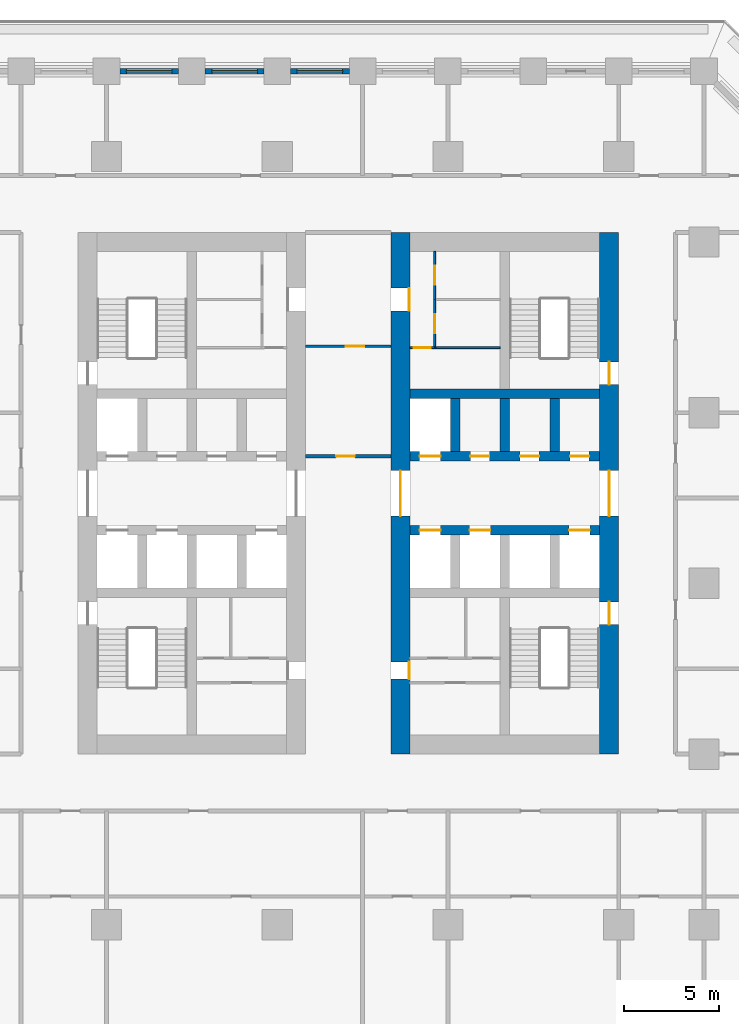
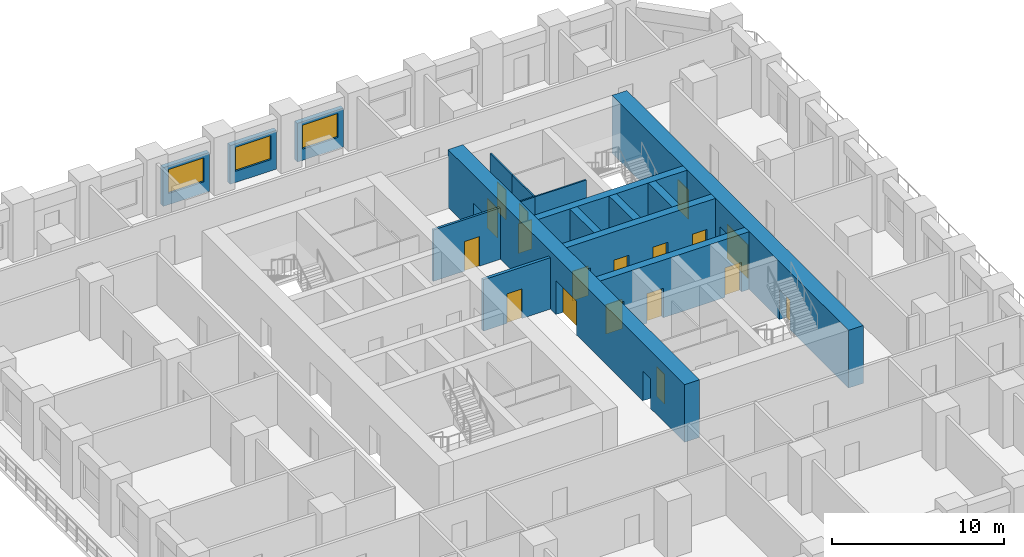
# One storey, part 7 of 12: 18 doors, 17 walls, 3 windows, 21 openings.
"""IFC4 building model written with IfcOpenShell, lengths in metres."""

from ifc_helpers import new_model, si_unit, direction, frame, frame_2d, origin, place, context, subcontext, project, spatial, rectangle, extrude, material, layer, layer_set, type_object, element, fill, save


model = new_model("IFC4")

# Units and contexts
model_context = context("Model", 3, precision=1e-05, world=origin(), true_north=direction((0.0, 1.0)))
body_context = subcontext(model_context, "Body", "Model", "MODEL_VIEW")
ifc_project = project(units=[si_unit("LENGTHUNIT", "METRE"), si_unit("AREAUNIT", "SQUARE_METRE"), si_unit("VOLUMEUNIT", "CUBIC_METRE"), si_unit("PLANEANGLEUNIT", "RADIAN"), si_unit("MASSUNIT", "GRAM", prefix="KILO")], contexts=[model_context])

# Site, building, storey
site_placement = place(None, origin())
site = spatial("IfcSite", under=ifc_project, at=site_placement, CompositionType="ELEMENT")
building_placement = place(site_placement, origin())
building = spatial("IfcBuilding", under=site, at=building_placement, Name="Corbel Stack Research Tower", CompositionType="ELEMENT")
storey_placement = place(building_placement, frame((0.0, 0.0, 27.699951171875)))
storey = spatial("IfcBuildingStorey", under=building, at=storey_placement, Name="L06", CompositionType="ELEMENT", Elevation=27.699951171875)

# Wall, openings, doors
ifc_material_1 = material(Name="Concrete C70/85", Category="concrete")
ifc_layer_1 = layer(ifc_material_1, 1.0)
ifc_layer_set_1 = layer_set([ifc_layer_1], Name="Concrete C70/85")
wall_type_1 = type_object("IfcWallType", Name="CW-1000-70", PredefinedType="SHEAR", material=ifc_layer_set_1)
wall_1_placement = place(storey_placement, frame((6.5, -9.0, 0.0), z_axis=(0.0, 0.0, 1.0), x_axis=(0.0, 1.0, 0.0)))
wall_1 = element("IfcWall", 1, at=wall_1_placement, inside=storey, type_object=wall_type_1, Name="East core wall, west face L06", PredefinedType="SHEAR", context=body_context, shape_type="SweptSolid", body=[
    extrude(rectangle(XDim=27.5, YDim=1.0, at=frame_2d((13.75, 0.0))), origin(), (0.0, 0.0, 1.0), 4.10009765625),
])
opening_1_placement = place(wall_1_placement, frame((12.550048828125, 0.0, 0.0)))
opening_1 = element("IfcOpeningElement", 2, at=opening_1_placement, cuts=wall_1, Name="Opening CD-E-W", PredefinedType="OPENING", context=body_context, shape_type="SweptSolid", body=[
    extrude(rectangle(XDim=2.39990234375, YDim=2.39990234375, at=frame_2d((1.199951171875, 1.199951171875))), frame((0.0, 0.510009765625, 0.0), z_axis=(0.0, -1.0, 0.0), x_axis=(1.0, 0.0, 0.0)), (0.0, 0.0, 1.0), 1.02001953125),
])
opening_2_placement = place(wall_1_placement, frame((3.955078125, 0.0, 0.0)))
opening_2 = element("IfcOpeningElement", 3, at=opening_2_placement, cuts=wall_1, Name="Opening CR-E24-W1-905", PredefinedType="OPENING", context=body_context, shape_type="SweptSolid", body=[
    extrude(rectangle(XDim=0.905029296875, YDim=2.10009765625, at=frame_2d((0.45263671875, 1.050048828125))), frame((0.0, 0.510009765625, 0.0), z_axis=(0.0, -1.0, 0.0), x_axis=(1.0, 0.0, 0.0)), (0.0, 0.0, 1.0), 1.02001953125),
])
opening_3_placement = place(wall_1_placement, frame((23.362548828125, 0.0, 0.0)))
opening_3 = element("IfcOpeningElement", 4, at=opening_3_placement, cuts=wall_1, Name="Opening CR-E24-R2-1200", PredefinedType="OPENING", context=body_context, shape_type="SweptSolid", body=[
    extrude(rectangle(XDim=1.199951171875, YDim=2.10009765625, at=frame_2d((0.60009765625, 1.050048828125))), frame((0.0, 0.510009765625, 0.0), z_axis=(0.0, -1.0, 0.0), x_axis=(1.0, 0.0, 0.0)), (0.0, 0.0, 1.0), 1.02001953125),
])
ifc_material_2 = material(Name="Painted steel fire door", Category="steel")
door_type_1 = type_object("IfcDoorType", Name="Lobby door pair 2400 x 2400 FD30S", OperationType="DOUBLE_DOOR_DOUBLE_SWING", PredefinedType="DOOR", material=ifc_material_2)
door_1_placement = place(opening_1_placement, origin())
door_1 = element("IfcDoor", 5, at=door_1_placement, inside=storey, type_object=door_type_1, Name="Lift lobby door E core W", OperationType="DOUBLE_DOOR_DOUBLE_SWING", OverallHeight=2.39990234375, OverallWidth=2.39990234375, PredefinedType="DOOR", context=body_context, shape_type="SweptSolid", body=[
    extrude(rectangle(XDim=2.39990234375, YDim=2.39990234375, at=frame_2d((1.199951171875, 1.199951171875))), frame((0.0, 0.02490234375, 0.0), z_axis=(0.0, -1.0, 0.0), x_axis=(1.0, 0.0, 0.0)), (0.0, 0.0, 1.0), 0.050048828125),
])
fill(opening_1, door_1)
ifc_material_3 = material(Name="Painted steel door", Category="steel")
door_type_2 = type_object("IfcDoorType", Name="Service door 1200 x 2100 FD30 left hand", OperationType="SINGLE_SWING_LEFT", PredefinedType="DOOR", material=ifc_material_3)
door_2_placement = place(opening_3_placement, origin())
door_2 = element("IfcDoor", 6, at=door_2_placement, inside=storey, type_object=door_type_2, Name="Service passage door E core", OperationType="SINGLE_SWING_LEFT", OverallHeight=2.10009765625, OverallWidth=1.199951171875, PredefinedType="DOOR", context=body_context, shape_type="SweptSolid", body=[
    extrude(rectangle(XDim=1.199951171875, YDim=2.10009765625, at=frame_2d((0.60009765625, 1.050048828125))), frame((0.0, -0.4248046875, 0.0), z_axis=(0.0, -1.0, 0.0), x_axis=(1.0, 0.0, 0.0)), (0.0, 0.0, 1.0), 0.050048828125),
])
fill(opening_3, door_2)
ifc_material_4 = material(Name="Painted timber door", Category="wood")
door_type_3 = type_object("IfcDoorType", Name="WC door 905 x 2100 right hand", OperationType="SINGLE_SWING_RIGHT", PredefinedType="DOOR", material=ifc_material_4)
door_3_placement = place(opening_2_placement, origin())
door_3 = element("IfcDoor", 7, at=door_3_placement, inside=storey, type_object=door_type_3, Name="WC lobby door E core", OperationType="SINGLE_SWING_RIGHT", OverallHeight=2.10009765625, OverallWidth=0.905029296875, PredefinedType="DOOR", context=body_context, shape_type="SweptSolid", body=[
    extrude(rectangle(XDim=0.905029296875, YDim=2.10009765625, at=frame_2d((0.45263671875, 1.050048828125))), frame((0.0, -0.4248046875, 0.0), z_axis=(0.0, -1.0, 0.0), x_axis=(1.0, 0.0, 0.0)), (0.0, 0.0, 1.0), 0.050048828125),
])
fill(opening_2, door_3)

wall_2_placement = place(storey_placement, frame((17.5, -9.0, 0.0), z_axis=(0.0, 0.0, 1.0), x_axis=(0.0, 1.0, 0.0)))
wall_2 = element("IfcWall", 8, at=wall_2_placement, inside=storey, type_object=wall_type_1, Name="East core wall, east face L06", PredefinedType="SHEAR", context=body_context, shape_type="SweptSolid", body=[
    extrude(rectangle(XDim=27.5, YDim=1.0, at=frame_2d((13.75, 0.0))), origin(), (0.0, 0.0, 1.0), 4.10009765625),
])
opening_4_placement = place(wall_2_placement, frame((12.550048828125, 0.0, 0.0)))
opening_4 = element("IfcOpeningElement", 9, at=opening_4_placement, cuts=wall_2, Name="Opening CD-E-E", PredefinedType="OPENING", context=body_context, shape_type="SweptSolid", body=[
    extrude(rectangle(XDim=2.39990234375, YDim=2.39990234375, at=frame_2d((1.199951171875, 1.199951171875))), frame((0.0, 0.510009765625, 0.0), z_axis=(0.0, -1.0, 0.0), x_axis=(1.0, 0.0, 0.0)), (0.0, 0.0, 1.0), 1.02001953125),
])
opening_5_placement = place(wall_2_placement, frame((6.824951171875, 0.0, 0.0)))
opening_5 = element("IfcOpeningElement", 10, at=opening_5_placement, cuts=wall_2, Name="Opening SD-ST-E1", PredefinedType="OPENING", context=body_context, shape_type="SweptSolid", body=[
    extrude(rectangle(XDim=1.199951171875, YDim=2.10009765625, at=frame_2d((0.60009765625, 1.050048828125))), frame((0.0, 0.510009765625, 0.0), z_axis=(0.0, -1.0, 0.0), x_axis=(1.0, 0.0, 0.0)), (0.0, 0.0, 1.0), 1.02001953125),
])
opening_6_placement = place(wall_2_placement, frame((19.47509765625, 0.0, 0.0)))
opening_6 = element("IfcOpeningElement", 11, at=opening_6_placement, cuts=wall_2, Name="Opening SD-ST-E2", PredefinedType="OPENING", context=body_context, shape_type="SweptSolid", body=[
    extrude(rectangle(XDim=1.199951171875, YDim=2.10009765625, at=frame_2d((0.60009765625, 1.050048828125))), frame((0.0, 0.510009765625, 0.0), z_axis=(0.0, -1.0, 0.0), x_axis=(1.0, 0.0, 0.0)), (0.0, 0.0, 1.0), 1.02001953125),
])
door_4_placement = place(opening_4_placement, origin())
door_4 = element("IfcDoor", 12, at=door_4_placement, inside=storey, type_object=door_type_1, Name="Lift lobby door E core E", OperationType="DOUBLE_DOOR_DOUBLE_SWING", OverallHeight=2.39990234375, OverallWidth=2.39990234375, PredefinedType="DOOR", context=body_context, shape_type="SweptSolid", body=[
    extrude(rectangle(XDim=2.39990234375, YDim=2.39990234375, at=frame_2d((1.199951171875, 1.199951171875))), frame((0.0, 0.02490234375, 0.0), z_axis=(0.0, -1.0, 0.0), x_axis=(1.0, 0.0, 0.0)), (0.0, 0.0, 1.0), 0.050048828125),
])
fill(opening_4, door_4)
ifc_material_5 = material(Name="Painted steel fire door", Category="steel")
door_type_4 = type_object("IfcDoorType", Name="Stair door 1200 x 2100 FD90 right hand", OperationType="SINGLE_SWING_RIGHT", PredefinedType="DOOR", material=ifc_material_5)
door_5_placement = place(opening_5_placement, frame((1.199951171875, 0.0, 0.0), z_axis=(0.0, 0.0, 1.0), x_axis=(-1.0, 0.0, 0.0)))
door_5 = element("IfcDoor", 13, at=door_5_placement, inside=storey, type_object=door_type_4, Name="Stair door ST-E1", OperationType="SINGLE_SWING_LEFT", OverallHeight=2.10009765625, OverallWidth=1.199951171875, PredefinedType="DOOR", context=body_context, shape_type="SweptSolid", body=[
    extrude(rectangle(XDim=1.199951171875, YDim=2.10009765625, at=frame_2d((0.60009765625, 1.050048828125))), frame((0.0, 0.02490234375, 0.0), z_axis=(0.0, -1.0, 0.0), x_axis=(1.0, 0.0, 0.0)), (0.0, 0.0, 1.0), 0.050048828125),
])
fill(opening_5, door_5)
door_6_placement = place(opening_6_placement, frame((1.199951171875, 0.0, 0.0), z_axis=(0.0, 0.0, 1.0), x_axis=(-1.0, 0.0, 0.0)))
door_6 = element("IfcDoor", 14, at=door_6_placement, inside=storey, type_object=door_type_4, Name="Stair door ST-E2", OperationType="SINGLE_SWING_LEFT", OverallHeight=2.10009765625, OverallWidth=1.199951171875, PredefinedType="DOOR", context=body_context, shape_type="SweptSolid", body=[
    extrude(rectangle(XDim=1.199951171875, YDim=2.10009765625, at=frame_2d((0.60009765625, 1.050048828125))), frame((0.0, 0.02490234375, 0.0), z_axis=(0.0, -1.0, 0.0), x_axis=(1.0, 0.0, 0.0)), (0.0, 0.0, 1.0), 0.050048828125),
])
fill(opening_6, door_6)

ifc_material_6 = material(Name="Concrete C70/85", Category="concrete")
ifc_layer_2 = layer(ifc_material_6, 0.5)
ifc_layer_set_2 = layer_set([ifc_layer_2], Name="Concrete C70/85")
wall_type_2 = type_object("IfcWallType", Name="CW-500-70", PredefinedType="SHEAR", material=ifc_layer_set_2)
wall_3_placement = place(storey_placement, frame((7.0, 2.800048828125, 0.0), z_axis=(0.0, 0.0, 1.0), x_axis=(1.0, 0.0, 0.0)))
wall_3 = element("IfcWall", 15, at=wall_3_placement, inside=storey, type_object=wall_type_2, Name="East core wall, lobby south L06", PredefinedType="SHEAR", context=body_context, shape_type="SweptSolid", body=[
    extrude(rectangle(XDim=10.0, YDim=0.5, at=frame_2d((5.0, 0.0))), origin(), (0.0, 0.0, 1.0), 4.10009765625),
])
opening_7_placement = place(wall_3_placement, frame((0.512451171875, 0.0, 0.0)))
opening_7 = element("IfcOpeningElement", 16, at=opening_7_placement, cuts=wall_3, Name="Opening LD-FS2", PredefinedType="OPENING", context=body_context, shape_type="SweptSolid", body=[
    extrude(rectangle(XDim=1.10009765625, YDim=2.10009765625, at=frame_2d((0.550048828125, 1.050048828125))), frame((0.0, 0.260009765625, 0.0), z_axis=(0.0, -1.0, 0.0), x_axis=(1.0, 0.0, 0.0)), (0.0, 0.0, 1.0), 0.52001953125),
])
opening_8_placement = place(wall_3_placement, frame((3.137451171875, 0.0, 0.0)))
opening_8 = element("IfcOpeningElement", 17, at=opening_8_placement, cuts=wall_3, Name="Opening LD-GL2", PredefinedType="OPENING", context=body_context, shape_type="SweptSolid", body=[
    extrude(rectangle(XDim=1.10009765625, YDim=2.10009765625, at=frame_2d((0.550048828125, 1.050048828125))), frame((0.0, 0.260009765625, 0.0), z_axis=(0.0, -1.0, 0.0), x_axis=(1.0, 0.0, 0.0)), (0.0, 0.0, 1.0), 0.52001953125),
])
opening_9_placement = place(wall_3_placement, frame((8.387451171875, 0.0, 0.0)))
opening_9 = element("IfcOpeningElement", 18, at=opening_9_placement, cuts=wall_3, Name="Opening LD-LR3", PredefinedType="OPENING", context=body_context, shape_type="SweptSolid", body=[
    extrude(rectangle(XDim=1.10009765625, YDim=2.10009765625, at=frame_2d((0.550048828125, 1.050048828125))), frame((0.0, 0.260009765625, 0.0), z_axis=(0.0, -1.0, 0.0), x_axis=(1.0, 0.0, 0.0)), (0.0, 0.0, 1.0), 0.52001953125),
])
ifc_material_7 = material(Name="Stainless steel landing door", Category="steel")
door_type_5 = type_object("IfcDoorType", Name="Lift landing door 1100 x 2100", OperationType="DOUBLE_DOOR_SLIDING", PredefinedType="DOOR", material=ifc_material_7)
door_7_placement = place(opening_7_placement, origin())
door_7 = element("IfcDoor", 19, at=door_7_placement, inside=storey, type_object=door_type_5, Name="Landing door FS2", OperationType="DOUBLE_DOOR_SLIDING", OverallHeight=2.10009765625, OverallWidth=1.10009765625, PredefinedType="DOOR", context=body_context, shape_type="SweptSolid", body=[
    extrude(rectangle(XDim=1.10009765625, YDim=2.10009765625, at=frame_2d((0.550048828125, 1.050048828125))), frame((0.0, 0.02490234375, 0.0), z_axis=(0.0, -1.0, 0.0), x_axis=(1.0, 0.0, 0.0)), (0.0, 0.0, 1.0), 0.050048828125),
])
fill(opening_7, door_7)
door_8_placement = place(opening_8_placement, origin())
door_8 = element("IfcDoor", 20, at=door_8_placement, inside=storey, type_object=door_type_5, Name="Landing door GL2", OperationType="DOUBLE_DOOR_SLIDING", OverallHeight=2.10009765625, OverallWidth=1.10009765625, PredefinedType="DOOR", context=body_context, shape_type="SweptSolid", body=[
    extrude(rectangle(XDim=1.10009765625, YDim=2.10009765625, at=frame_2d((0.550048828125, 1.050048828125))), frame((0.0, 0.02490234375, 0.0), z_axis=(0.0, -1.0, 0.0), x_axis=(1.0, 0.0, 0.0)), (0.0, 0.0, 1.0), 0.050048828125),
])
fill(opening_8, door_8)
door_9_placement = place(opening_9_placement, origin())
door_9 = element("IfcDoor", 21, at=door_9_placement, inside=storey, type_object=door_type_5, Name="Landing door LR3", OperationType="DOUBLE_DOOR_SLIDING", OverallHeight=2.10009765625, OverallWidth=1.10009765625, PredefinedType="DOOR", context=body_context, shape_type="SweptSolid", body=[
    extrude(rectangle(XDim=1.10009765625, YDim=2.10009765625, at=frame_2d((0.550048828125, 1.050048828125))), frame((0.0, 0.02490234375, 0.0), z_axis=(0.0, -1.0, 0.0), x_axis=(1.0, 0.0, 0.0)), (0.0, 0.0, 1.0), 0.050048828125),
])
fill(opening_9, door_9)

wall_4_placement = place(storey_placement, frame((7.0, 6.699951171875, 0.0), z_axis=(0.0, 0.0, 1.0), x_axis=(1.0, 0.0, 0.0)))
wall_4 = element("IfcWall", 22, at=wall_4_placement, inside=storey, type_object=wall_type_2, Name="East core wall, lobby north L06", PredefinedType="SHEAR", context=body_context, shape_type="SweptSolid", body=[
    extrude(rectangle(XDim=10.0, YDim=0.5, at=frame_2d((5.0, 0.0))), origin(), (0.0, 0.0, 1.0), 4.10009765625),
])
opening_10_placement = place(wall_4_placement, frame((0.512451171875, 0.0, 0.0)))
opening_10 = element("IfcOpeningElement", 23, at=opening_10_placement, cuts=wall_4, Name="Opening LD-LR4", PredefinedType="OPENING", context=body_context, shape_type="SweptSolid", body=[
    extrude(rectangle(XDim=1.10009765625, YDim=2.10009765625, at=frame_2d((0.550048828125, 1.050048828125))), frame((0.0, 0.260009765625, 0.0), z_axis=(0.0, -1.0, 0.0), x_axis=(1.0, 0.0, 0.0)), (0.0, 0.0, 1.0), 0.52001953125),
])
opening_11_placement = place(wall_4_placement, frame((3.1875, 0.0, 0.0)))
opening_11 = element("IfcOpeningElement", 24, at=opening_11_placement, cuts=wall_4, Name="Opening CR-E24-N2", PredefinedType="OPENING", context=body_context, shape_type="SweptSolid", body=[
    extrude(rectangle(XDim=1.0, YDim=2.10009765625, at=frame_2d((0.5, 1.050048828125))), frame((0.0, 0.260009765625, 0.0), z_axis=(0.0, -1.0, 0.0), x_axis=(1.0, 0.0, 0.0)), (0.0, 0.0, 1.0), 0.52001953125),
])
opening_12_placement = place(wall_4_placement, frame((5.8125, 0.0, 0.0)))
opening_12 = element("IfcOpeningElement", 25, at=opening_12_placement, cuts=wall_4, Name="Opening CR-E24-N3", PredefinedType="OPENING", context=body_context, shape_type="SweptSolid", body=[
    extrude(rectangle(XDim=1.0, YDim=2.10009765625, at=frame_2d((0.5, 1.050048828125))), frame((0.0, 0.260009765625, 0.0), z_axis=(0.0, -1.0, 0.0), x_axis=(1.0, 0.0, 0.0)), (0.0, 0.0, 1.0), 0.52001953125),
])
opening_13_placement = place(wall_4_placement, frame((8.4375, 0.0, 0.0)))
opening_13 = element("IfcOpeningElement", 26, at=opening_13_placement, cuts=wall_4, Name="Opening CR-E24-N4", PredefinedType="OPENING", context=body_context, shape_type="SweptSolid", body=[
    extrude(rectangle(XDim=1.0, YDim=2.10009765625, at=frame_2d((0.5, 1.050048828125))), frame((0.0, 0.260009765625, 0.0), z_axis=(0.0, -1.0, 0.0), x_axis=(1.0, 0.0, 0.0)), (0.0, 0.0, 1.0), 0.52001953125),
])
door_10_placement = place(opening_10_placement, origin())
door_10 = element("IfcDoor", 27, at=door_10_placement, inside=storey, type_object=door_type_5, Name="Landing door LR4", OperationType="DOUBLE_DOOR_SLIDING", OverallHeight=2.10009765625, OverallWidth=1.10009765625, PredefinedType="DOOR", context=body_context, shape_type="SweptSolid", body=[
    extrude(rectangle(XDim=1.10009765625, YDim=2.10009765625, at=frame_2d((0.550048828125, 1.050048828125))), frame((0.0, 0.02490234375, 0.0), z_axis=(0.0, -1.0, 0.0), x_axis=(1.0, 0.0, 0.0)), (0.0, 0.0, 1.0), 0.050048828125),
])
fill(opening_10, door_10)
ifc_material_8 = material(Name="Painted steel door", Category="steel")
door_type_6 = type_object("IfcDoorType", Name="Service door 1000 x 2100 FD60 left hand", OperationType="SINGLE_SWING_LEFT", PredefinedType="DOOR", material=ifc_material_8)
door_11_placement = place(opening_12_placement, origin())
door_11 = element("IfcDoor", 28, at=door_11_placement, inside=storey, type_object=door_type_6, Name="Cleaner's store door E core", OperationType="SINGLE_SWING_LEFT", OverallHeight=2.10009765625, OverallWidth=1.0, PredefinedType="DOOR", context=body_context, shape_type="SweptSolid", body=[
    extrude(rectangle(XDim=1.0, YDim=2.10009765625, at=frame_2d((0.5, 1.050048828125))), frame((0.0, 0.02490234375, 0.0), z_axis=(0.0, -1.0, 0.0), x_axis=(1.0, 0.0, 0.0)), (0.0, 0.0, 1.0), 0.050048828125),
])
fill(opening_12, door_11)
ifc_material_9 = material(Name="Painted steel door", Category="steel")
door_type_7 = type_object("IfcDoorType", Name="Service door 1000 x 2100 FD60 right hand", OperationType="SINGLE_SWING_RIGHT", PredefinedType="DOOR", material=ifc_material_9)
door_12_placement = place(opening_11_placement, origin())
door_12 = element("IfcDoor", 29, at=door_12_placement, inside=storey, type_object=door_type_7, Name="Laboratory consumables store door E core", OperationType="SINGLE_SWING_RIGHT", OverallHeight=2.10009765625, OverallWidth=1.0, PredefinedType="DOOR", context=body_context, shape_type="SweptSolid", body=[
    extrude(rectangle(XDim=1.0, YDim=2.10009765625, at=frame_2d((0.5, 1.050048828125))), frame((0.0, 0.02490234375, 0.0), z_axis=(0.0, -1.0, 0.0), x_axis=(1.0, 0.0, 0.0)), (0.0, 0.0, 1.0), 0.050048828125),
])
fill(opening_11, door_12)
door_13_placement = place(opening_13_placement, origin())
door_13 = element("IfcDoor", 30, at=door_13_placement, inside=storey, type_object=door_type_7, Name="Vending bay door E core", OperationType="SINGLE_SWING_RIGHT", OverallHeight=2.10009765625, OverallWidth=1.0, PredefinedType="DOOR", context=body_context, shape_type="SweptSolid", body=[
    extrude(rectangle(XDim=1.0, YDim=2.10009765625, at=frame_2d((0.5, 1.050048828125))), frame((0.0, 0.02490234375, 0.0), z_axis=(0.0, -1.0, 0.0), x_axis=(1.0, 0.0, 0.0)), (0.0, 0.0, 1.0), 0.050048828125),
])
fill(opening_13, door_13)

# Walls
wall_5_placement = place(storey_placement, frame((7.0, 10.0, 0.0), z_axis=(0.0, 0.0, 1.0), x_axis=(1.0, 0.0, 0.0)))
element("IfcWall", 31, at=wall_5_placement, inside=storey, type_object=wall_type_2, Name="East core wall, north row back L06", PredefinedType="SHEAR", context=body_context, shape_type="SweptSolid", body=[
    extrude(rectangle(XDim=10.0, YDim=0.5, at=frame_2d((5.0, 0.0))), origin(), (0.0, 0.0, 1.0), 4.10009765625),
])
for number, where, z_axis, x_axis, name in (
    (32, (9.375, 6.949951171875, 0.0), (0.0, 0.0, 1.0), (0.0, 1.0, 0.0), "East core wall, north shaft 1 L06"),
    (33, (12.0, 6.949951171875, 0.0), (0.0, 0.0, 1.0), (0.0, 1.0, 0.0), "East core wall, north shaft 2 L06"),
    (34, (14.625, 6.949951171875, 0.0), (0.0, 0.0, 1.0), (0.0, 1.0, 0.0), "East core wall, north shaft 3 L06"),
):
    element("IfcWall", number, at=place(storey_placement, frame(where, z_axis=z_axis, x_axis=x_axis)), inside=storey, type_object=wall_type_2, Name=name, PredefinedType="SHEAR", context=body_context, shape_type="SweptSolid", body=[
        extrude(rectangle(XDim=2.800048828125, YDim=0.5, at=frame_2d((1.39990234375, 0.0))), origin(), (0.0, 0.0, 1.0), 4.10009765625),
    ])

# Wall, opening, door
ifc_material_10 = material(Name="Gypsum board")
ifc_layer_3 = layer(ifc_material_10, 0.10009765625)
ifc_layer_set_3 = layer_set([ifc_layer_3], Name="Gypsum board")
wall_type_3 = type_object("IfcWallType", Name="Core partition 100", PredefinedType="PARTITIONING", material=ifc_layer_set_3)
wall_6_placement = place(storey_placement, frame((7.0, 12.425048828125, 0.0), z_axis=(0.0, 0.0, 1.0), x_axis=(1.0, 0.0, 0.0)))
wall_6 = element("IfcWall", 35, at=wall_6_placement, inside=storey, type_object=wall_type_3, Name="Core partition E", PredefinedType="PARTITIONING", context=body_context, shape_type="SweptSolid", body=[
    extrude(rectangle(XDim=1.300048828125, YDim=0.10009765625, at=frame_2d((0.64990234375, 0.0))), origin(), (0.0, 0.0, 1.0), 3.650146484375),
])
opening_14_placement = place(wall_6_placement, frame((0.199951171875, 0.0, 0.0)))
opening_14 = element("IfcOpeningElement", 36, at=opening_14_placement, cuts=wall_6, Name="Opening CR-E24-R1-900", PredefinedType="OPENING", context=body_context, shape_type="SweptSolid", body=[
    extrude(rectangle(XDim=0.89990234375, YDim=2.10009765625, at=frame_2d((0.449951171875, 1.050048828125))), frame((0.0, 0.06005859375, 0.0), z_axis=(0.0, -1.0, 0.0), x_axis=(1.0, 0.0, 0.0)), (0.0, 0.0, 1.0), 0.1201171875),
])
ifc_material_11 = material(Name="Painted steel door", Category="steel")
door_type_8 = type_object("IfcDoorType", Name="Riser door 900 x 2100 FD60 right hand", OperationType="SINGLE_SWING_RIGHT", PredefinedType="DOOR", material=ifc_material_11)
door_14_placement = place(opening_14_placement, origin())
door_14 = element("IfcDoor", 37, at=door_14_placement, inside=storey, type_object=door_type_8, Name="Electrical riser door E core", OperationType="SINGLE_SWING_RIGHT", OverallHeight=2.10009765625, OverallWidth=0.89990234375, PredefinedType="DOOR", context=body_context, shape_type="SweptSolid", body=[
    extrude(rectangle(XDim=0.89990234375, YDim=2.10009765625, at=frame_2d((0.449951171875, 1.050048828125))), frame((0.0, 0.02490234375, 0.0), z_axis=(0.0, -1.0, 0.0), x_axis=(1.0, 0.0, 0.0)), (0.0, 0.0, 1.0), 0.050048828125),
])
fill(opening_14, door_14)

# Wall
wall_7_placement = place(storey_placement, frame((8.300048828125, 12.425048828125, 0.0), z_axis=(0.0, 0.0, 1.0), x_axis=(1.0, 0.0, 0.0)))
element("IfcWall", 38, at=wall_7_placement, inside=storey, type_object=wall_type_3, Name="Core partition E", PredefinedType="PARTITIONING", context=body_context, shape_type="SweptSolid", body=[
    extrude(rectangle(XDim=3.449951171875, YDim=0.10009765625, at=frame_2d((1.72509765625, 0.0))), origin(), (0.0, 0.0, 1.0), 3.650146484375),
])

# Wall, opening, door
wall_8_placement = place(storey_placement, frame((8.300048828125, 12.425048828125, 0.0), z_axis=(0.0, 0.0, 1.0), x_axis=(0.0, 1.0, 0.0)))
wall_8 = element("IfcWall", 39, at=wall_8_placement, inside=storey, type_object=wall_type_3, Name="Core partition E", PredefinedType="PARTITIONING", context=body_context, shape_type="SweptSolid", body=[
    extrude(rectangle(XDim=2.537353515625, YDim=0.10009765625, at=frame_2d((1.2685546875, 0.0))), origin(), (0.0, 0.0, 1.0), 3.650146484375),
])
opening_15_placement = place(wall_8_placement, frame((0.768798828125, 0.0, 0.0)))
opening_15 = element("IfcOpeningElement", 40, at=opening_15_placement, cuts=wall_8, Name="Opening CR-E24-R3-1000", PredefinedType="OPENING", context=body_context, shape_type="SweptSolid", body=[
    extrude(rectangle(XDim=1.0, YDim=2.10009765625, at=frame_2d((0.5, 1.050048828125))), frame((0.0, 0.06005859375, 0.0), z_axis=(0.0, -1.0, 0.0), x_axis=(1.0, 0.0, 0.0)), (0.0, 0.0, 1.0), 0.1201171875),
])
ifc_material_12 = material(Name="Painted steel door", Category="steel")
door_type_9 = type_object("IfcDoorType", Name="Service door 1000 x 2100 FD30 right hand", OperationType="SINGLE_SWING_RIGHT", PredefinedType="DOOR", material=ifc_material_12)
door_15_placement = place(opening_15_placement, origin())
door_15 = element("IfcDoor", 41, at=door_15_placement, inside=storey, type_object=door_type_9, Name="Pantry door E core", OperationType="SINGLE_SWING_RIGHT", OverallHeight=2.10009765625, OverallWidth=1.0, PredefinedType="DOOR", context=body_context, shape_type="SweptSolid", body=[
    extrude(rectangle(XDim=1.0, YDim=2.10009765625, at=frame_2d((0.5, 1.050048828125))), frame((0.0, 0.02490234375, 0.0), z_axis=(0.0, -1.0, 0.0), x_axis=(1.0, 0.0, 0.0)), (0.0, 0.0, 1.0), 0.050048828125),
])
fill(opening_15, door_15)

wall_9_placement = place(storey_placement, frame((8.300048828125, 14.96240234375, 0.0), z_axis=(0.0, 0.0, 1.0), x_axis=(0.0, 1.0, 0.0)))
wall_9 = element("IfcWall", 42, at=wall_9_placement, inside=storey, type_object=wall_type_3, Name="Core partition E", PredefinedType="PARTITIONING", context=body_context, shape_type="SweptSolid", body=[
    extrude(rectangle(XDim=2.53759765625, YDim=0.10009765625, at=frame_2d((1.268798828125, 0.0))), origin(), (0.0, 0.0, 1.0), 3.650146484375),
])
opening_16_placement = place(wall_9_placement, frame((0.768798828125, 0.0, 0.0)))
opening_16 = element("IfcOpeningElement", 43, at=opening_16_placement, cuts=wall_9, Name="Opening CR-E24-R4-1000", PredefinedType="OPENING", context=body_context, shape_type="SweptSolid", body=[
    extrude(rectangle(XDim=1.0, YDim=2.10009765625, at=frame_2d((0.5, 1.050048828125))), frame((0.0, 0.06005859375, 0.0), z_axis=(0.0, -1.0, 0.0), x_axis=(1.0, 0.0, 0.0)), (0.0, 0.0, 1.0), 0.1201171875),
])
ifc_material_13 = material(Name="Painted steel door", Category="steel")
door_type_10 = type_object("IfcDoorType", Name="Service door 1000 x 2100 FD30 left hand", OperationType="SINGLE_SWING_LEFT", PredefinedType="DOOR", material=ifc_material_13)
door_16_placement = place(opening_16_placement, origin())
door_16 = element("IfcDoor", 44, at=door_16_placement, inside=storey, type_object=door_type_10, Name="Copy and supply store door E core", OperationType="SINGLE_SWING_LEFT", OverallHeight=2.10009765625, OverallWidth=1.0, PredefinedType="DOOR", context=body_context, shape_type="SweptSolid", body=[
    extrude(rectangle(XDim=1.0, YDim=2.10009765625, at=frame_2d((0.5, 1.050048828125))), frame((0.0, 0.02490234375, 0.0), z_axis=(0.0, -1.0, 0.0), x_axis=(1.0, 0.0, 0.0)), (0.0, 0.0, 1.0), 0.050048828125),
])
fill(opening_16, door_16)

ifc_material_14 = material(Name="Fire-rated gypsum board partition on steel studs", Category="steel")
ifc_layer_4 = layer(ifc_material_14, 0.199951171875)
ifc_layer_set_4 = layer_set([ifc_layer_4], Name="Fire-rated gypsum board partition on steel studs")
wall_type_4 = type_object("IfcWallType", Name="Fire-rated partition 200 EI 60", PredefinedType="PARTITIONING", material=ifc_layer_set_4)
wall_10_placement = place(storey_placement, frame((1.5, 6.699951171875, 0.0), z_axis=(0.0, 0.0, 1.0), x_axis=(1.0, 0.0, 0.0)))
wall_10 = element("IfcWall", 45, at=wall_10_placement, inside=storey, type_object=wall_type_4, Name="Partition L06-034", PredefinedType="PARTITIONING", context=body_context, shape_type="SweptSolid", body=[
    extrude(rectangle(XDim=4.5, YDim=0.199951171875, at=frame_2d((2.25, 0.0))), origin(), (0.0, 0.0, 1.0), 3.650146484375),
])
opening_17_placement = place(wall_10_placement, frame((1.60009765625, 0.0, 0.0)))
opening_17 = element("IfcOpeningElement", 46, at=opening_17_placement, cuts=wall_10, Name="Opening B1V1-026", PredefinedType="OPENING", context=body_context, shape_type="SweptSolid", body=[
    extrude(rectangle(XDim=1.0, YDim=2.10009765625, at=frame_2d((0.5, 1.050048828125))), frame((0.0, 0.10986328125, 0.0), z_axis=(0.0, -1.0, 0.0), x_axis=(1.0, 0.0, 0.0)), (0.0, 0.0, 1.0), 0.219970703125),
])
ifc_material_15 = material(Name="Painted steel fire door", Category="steel")
door_type_11 = type_object("IfcDoorType", Name="Fire door FD30S 1000 x 2100", OperationType="NOTDEFINED", PredefinedType="DOOR", material=ifc_material_15)
door_17_placement = place(opening_17_placement, origin())
door_17 = element("IfcDoor", 47, at=door_17_placement, inside=storey, type_object=door_type_11, Name="Door B1V1-026", OperationType="SINGLE_SWING_LEFT", OverallHeight=2.10009765625, OverallWidth=1.0, PredefinedType="DOOR", context=body_context, shape_type="SweptSolid", body=[
    extrude(rectangle(XDim=1.0, YDim=2.10009765625, at=frame_2d((0.5, 1.050048828125))), frame((0.0, 0.02490234375, 0.0), z_axis=(0.0, -1.0, 0.0), x_axis=(1.0, 0.0, 0.0)), (0.0, 0.0, 1.0), 0.050048828125),
])
fill(opening_17, door_17)

ifc_material_16 = material(Name="Gypsum board partition on steel studs", Category="steel")
ifc_layer_5 = layer(ifc_material_16, 0.14990234375)
ifc_layer_set_5 = layer_set([ifc_layer_5], Name="Gypsum board partition on steel studs")
wall_type_5 = type_object("IfcWallType", Name="Partition 150", PredefinedType="PARTITIONING", material=ifc_layer_set_5)
wall_11_placement = place(storey_placement, frame((1.5, 12.5, 0.0), z_axis=(0.0, 0.0, 1.0), x_axis=(1.0, 0.0, 0.0)))
wall_11 = element("IfcWall", 48, at=wall_11_placement, inside=storey, type_object=wall_type_5, Name="Partition L06-039", PredefinedType="PARTITIONING", context=body_context, shape_type="SweptSolid", body=[
    extrude(rectangle(XDim=4.5, YDim=0.14990234375, at=frame_2d((2.25, 0.0))), origin(), (0.0, 0.0, 1.0), 3.650146484375),
])
opening_18_placement = place(wall_11_placement, frame((2.10009765625, 0.0, 0.0)))
opening_18 = element("IfcOpeningElement", 49, at=opening_18_placement, cuts=wall_11, Name="Opening B1V1-027", PredefinedType="OPENING", context=body_context, shape_type="SweptSolid", body=[
    extrude(rectangle(XDim=1.0, YDim=2.10009765625, at=frame_2d((0.5, 1.050048828125))), frame((0.0, 0.0849609375, 0.0), z_axis=(0.0, -1.0, 0.0), x_axis=(1.0, 0.0, 0.0)), (0.0, 0.0, 1.0), 0.169921875),
])
ifc_material_17 = material(Name="Painted timber door", Category="wood")
door_type_12 = type_object("IfcDoorType", Name="Single door 1000 x 2100", OperationType="NOTDEFINED", PredefinedType="DOOR", material=ifc_material_17)
door_18_placement = place(opening_18_placement, origin())
door_18 = element("IfcDoor", 50, at=door_18_placement, inside=storey, type_object=door_type_12, Name="Door B1V1-027", OperationType="SINGLE_SWING_RIGHT", OverallHeight=2.10009765625, OverallWidth=1.0, PredefinedType="DOOR", context=body_context, shape_type="SweptSolid", body=[
    extrude(rectangle(XDim=1.0, YDim=2.10009765625, at=frame_2d((0.5, 1.050048828125))), frame((0.0, 0.02490234375, 0.0), z_axis=(0.0, -1.0, 0.0), x_axis=(1.0, 0.0, 0.0)), (0.0, 0.0, 1.0), 0.050048828125),
])
fill(opening_18, door_18)

# Wall, opening, window
ifc_material_18 = material(Name="Concrete C45/55", Category="concrete")
ifc_layer_6 = layer(ifc_material_18, 0.300048828125)
ifc_layer_set_6 = layer_set([ifc_layer_6], Name="Concrete C45/55")
wall_type_6 = type_object("IfcWallType", Name="Terracotta-faced concrete wall 300", PredefinedType="SOLIDWALL", material=ifc_layer_set_6)
wall_12_placement = place(storey_placement, frame((0.699951171875, 27.0, 0.0), z_axis=(0.0, 0.0, 1.0), x_axis=(1.0, 0.0, 0.0)))
wall_12 = element("IfcWall", 51, at=wall_12_placement, inside=storey, type_object=wall_type_6, Name="Facade wall L06 N05", PredefinedType="SOLIDWALL", context=body_context, shape_type="SweptSolid", body=[
    extrude(rectangle(XDim=3.10009765625, YDim=0.300048828125, at=frame_2d((1.550048828125, 0.0))), origin(), (0.0, 0.0, 1.0), 2.75),
])
opening_19_placement = place(wall_12_placement, frame((0.35009765625, 0.0, 0.800048828125)))
opening_19 = element("IfcOpeningElement", 52, at=opening_19_placement, cuts=wall_12, Name="Opening W1", PredefinedType="OPENING", context=body_context, shape_type="SweptSolid", body=[
    extrude(rectangle(XDim=2.39990234375, YDim=1.699951171875, at=frame_2d((1.199951171875, 0.85009765625))), frame((0.0, 0.159912109375, 0.0), z_axis=(0.0, -1.0, 0.0), x_axis=(1.0, 0.0, 0.0)), (0.0, 0.0, 1.0), 0.320068359375),
])
ifc_material_19 = material(Name="Aluminium frame, clear double glazing", Category="aluminium")
window_type = type_object("IfcWindowType", Name="Window W1 2400 x 1700", PartitioningType="SINGLE_PANEL", PredefinedType="WINDOW", material=ifc_material_19)
window_1_placement = place(opening_19_placement, origin())
window_1 = element("IfcWindow", 53, at=window_1_placement, inside=storey, type_object=window_type, Name="Window W1 L06 N05", OverallHeight=1.699951171875, OverallWidth=2.39990234375, PartitioningType="SINGLE_PANEL", PredefinedType="WINDOW", context=body_context, shape_type="SweptSolid", body=[
    extrude(rectangle(XDim=2.39990234375, YDim=1.699951171875, at=frame_2d((1.199951171875, 0.85009765625))), frame((0.0, 0.030029296875, 0.0), z_axis=(0.0, -1.0, 0.0), x_axis=(1.0, 0.0, 0.0)), (0.0, 0.0, 1.0), 0.06005859375),
])
fill(opening_19, window_1)

wall_13_placement = place(storey_placement, frame((-3.800048828125, 27.0, 0.0), z_axis=(0.0, 0.0, 1.0), x_axis=(1.0, 0.0, 0.0)))
wall_13 = element("IfcWall", 54, at=wall_13_placement, inside=storey, type_object=wall_type_6, Name="Facade wall L06 N06", PredefinedType="SOLIDWALL", context=body_context, shape_type="SweptSolid", body=[
    extrude(rectangle(XDim=3.10009765625, YDim=0.300048828125, at=frame_2d((1.550048828125, 0.0))), origin(), (0.0, 0.0, 1.0), 2.75),
])
opening_20_placement = place(wall_13_placement, frame((0.35009765625, 0.0, 0.800048828125)))
opening_20 = element("IfcOpeningElement", 55, at=opening_20_placement, cuts=wall_13, Name="Opening W1", PredefinedType="OPENING", context=body_context, shape_type="SweptSolid", body=[
    extrude(rectangle(XDim=2.39990234375, YDim=1.699951171875, at=frame_2d((1.199951171875, 0.85009765625))), frame((0.0, 0.159912109375, 0.0), z_axis=(0.0, -1.0, 0.0), x_axis=(1.0, 0.0, 0.0)), (0.0, 0.0, 1.0), 0.320068359375),
])
window_2_placement = place(opening_20_placement, origin())
window_2 = element("IfcWindow", 56, at=window_2_placement, inside=storey, type_object=window_type, Name="Window W1 L06 N06", OverallHeight=1.699951171875, OverallWidth=2.39990234375, PartitioningType="SINGLE_PANEL", PredefinedType="WINDOW", context=body_context, shape_type="SweptSolid", body=[
    extrude(rectangle(XDim=2.39990234375, YDim=1.699951171875, at=frame_2d((1.199951171875, 0.85009765625))), frame((0.0, 0.030029296875, 0.0), z_axis=(0.0, -1.0, 0.0), x_axis=(1.0, 0.0, 0.0)), (0.0, 0.0, 1.0), 0.06005859375),
])
fill(opening_20, window_2)

wall_14_placement = place(storey_placement, frame((-8.300048828125, 27.0, 0.0), z_axis=(0.0, 0.0, 1.0), x_axis=(1.0, 0.0, 0.0)))
wall_14 = element("IfcWall", 57, at=wall_14_placement, inside=storey, type_object=wall_type_6, Name="Facade wall L06 N07", PredefinedType="SOLIDWALL", context=body_context, shape_type="SweptSolid", body=[
    extrude(rectangle(XDim=3.10009765625, YDim=0.300048828125, at=frame_2d((1.550048828125, 0.0))), origin(), (0.0, 0.0, 1.0), 2.75),
])
opening_21_placement = place(wall_14_placement, frame((0.35009765625, 0.0, 0.800048828125)))
opening_21 = element("IfcOpeningElement", 58, at=opening_21_placement, cuts=wall_14, Name="Opening W1", PredefinedType="OPENING", context=body_context, shape_type="SweptSolid", body=[
    extrude(rectangle(XDim=2.39990234375, YDim=1.699951171875, at=frame_2d((1.199951171875, 0.85009765625))), frame((0.0, 0.159912109375, 0.0), z_axis=(0.0, -1.0, 0.0), x_axis=(1.0, 0.0, 0.0)), (0.0, 0.0, 1.0), 0.320068359375),
])
window_3_placement = place(opening_21_placement, origin())
window_3 = element("IfcWindow", 59, at=window_3_placement, inside=storey, type_object=window_type, Name="Window W1 L06 N07", OverallHeight=1.699951171875, OverallWidth=2.39990234375, PartitioningType="SINGLE_PANEL", PredefinedType="WINDOW", context=body_context, shape_type="SweptSolid", body=[
    extrude(rectangle(XDim=2.39990234375, YDim=1.699951171875, at=frame_2d((1.199951171875, 0.85009765625))), frame((0.0, 0.030029296875, 0.0), z_axis=(0.0, -1.0, 0.0), x_axis=(1.0, 0.0, 0.0)), (0.0, 0.0, 1.0), 0.06005859375),
])
fill(opening_21, window_3)

save(model, "model.ifc")
